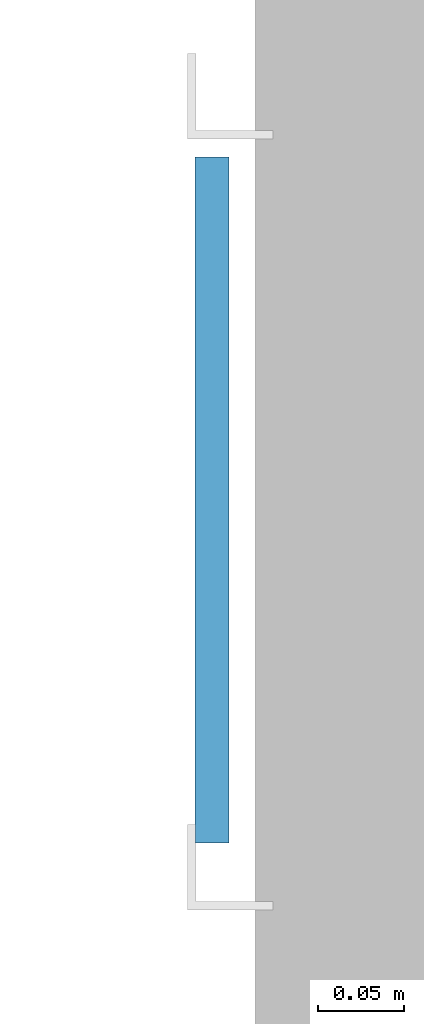
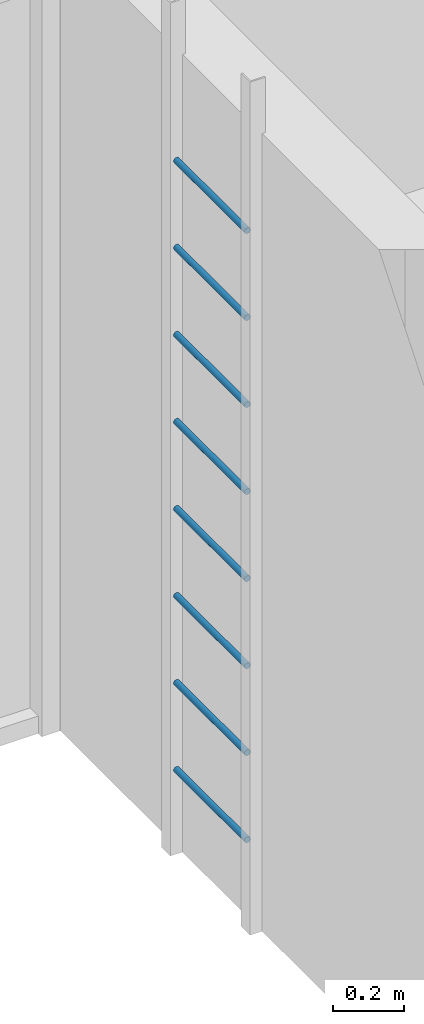
# One storey, part 19 of 55: 8 members.
"""IFC4 building model written with IfcOpenShell, lengths in metres."""

from ifc_helpers import new_model, si_unit, direction, frame, origin, origin_2d, place, context, subcontext, project, spatial, circle, extrude, material, material_profile, profile_set, type_object, element, save


model = new_model("IFC4")

# Units and contexts
model_context = context("Model", 3, precision=1e-05, world=origin(), true_north=direction((0.0, 1.0)))
body_context = subcontext(model_context, "Body", "Model", "MODEL_VIEW")
ifc_project = project(units=[si_unit("LENGTHUNIT", "METRE"), si_unit("AREAUNIT", "SQUARE_METRE"), si_unit("VOLUMEUNIT", "CUBIC_METRE"), si_unit("PLANEANGLEUNIT", "RADIAN"), si_unit("MASSUNIT", "GRAM", prefix="KILO")], contexts=[model_context])

# Site, building, storey
site_placement = place(None, origin())
site = spatial("IfcSite", under=ifc_project, at=site_placement, CompositionType="ELEMENT")
building_placement = place(site_placement, origin())
building = spatial("IfcBuilding", under=site, at=building_placement, Name="Ridgestep Commons", CompositionType="ELEMENT")
storey_placement = place(building_placement, frame((0.0, 0.0, 36.0)))
storey = spatial("IfcBuildingStorey", under=building, at=storey_placement, Name="L12", CompositionType="ELEMENT", Elevation=36.0)

# Members
ifc_material = material(Name="Structural steel S355JR", Category="steel")
ifc_material_profile = material_profile(ifc_material, circle(Radius=0.010009765625, at=origin_2d()), Name="Round bar 20")
ifc_profile_set = profile_set([ifc_material_profile], Name="Structural steel S355JR")
member_type = type_object("IfcMemberType", Name="Core ladder rung 20", PredefinedType="STRINGER", material=ifc_profile_set)
for number, where, z_axis, x_axis, name in (
    (1, (42.60009765625, 21.64990234375, 0.300048828125), (0.0, 1.0, 0.0), (-1.0, 0.0, 0.0), "Ladder rung A2C.1"),
    (2, (42.60009765625, 21.64990234375, 0.60009765625), (0.0, 1.0, 0.0), (-1.0, 0.0, 0.0), "Ladder rung A2C.2"),
    (3, (42.60009765625, 21.64990234375, 0.89990234375), (0.0, 1.0, 0.0), (-1.0, 0.0, 0.0), "Ladder rung A2C.3"),
    (4, (42.60009765625, 21.64990234375, 1.199951171875), (0.0, 1.0, 0.0), (-1.0, 0.0, 0.0), "Ladder rung A2C.4"),
    (5, (42.60009765625, 21.64990234375, 1.5), (0.0, 1.0, 0.0), (-1.0, 0.0, 0.0), "Ladder rung A2C.5"),
    (6, (42.60009765625, 21.64990234375, 1.800048828125), (0.0, 1.0, 0.0), (-1.0, 0.0, 0.0), "Ladder rung A2C.6"),
    (7, (42.60009765625, 21.64990234375, 2.10009765625), (0.0, 1.0, 0.0), (-1.0, 0.0, 0.0), "Ladder rung A2C.7"),
    (8, (42.60009765625, 21.64990234375, 2.39990234375), (0.0, 1.0, 0.0), (-1.0, 0.0, 0.0), "Ladder rung A2C.8"),
):
    element("IfcMember", number, at=place(storey_placement, frame(where, z_axis=z_axis, x_axis=x_axis)), inside=storey, type_object=member_type, Name=name, PredefinedType="STRINGER", context=body_context, shape_type="SweptSolid", body=[
        extrude(circle(Radius=0.010009765625, at=origin_2d()), origin(), (0.0, 0.0, 1.0), 0.400146484375),
    ])

save(model, "model.ifc")
